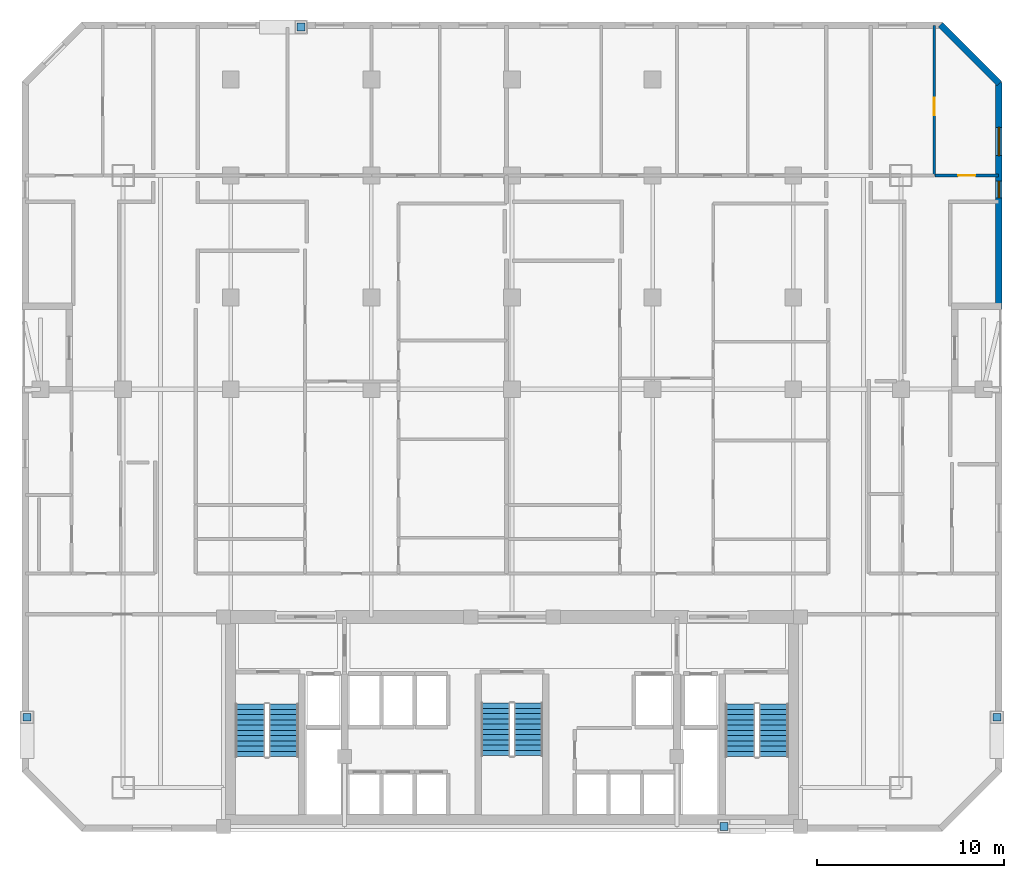
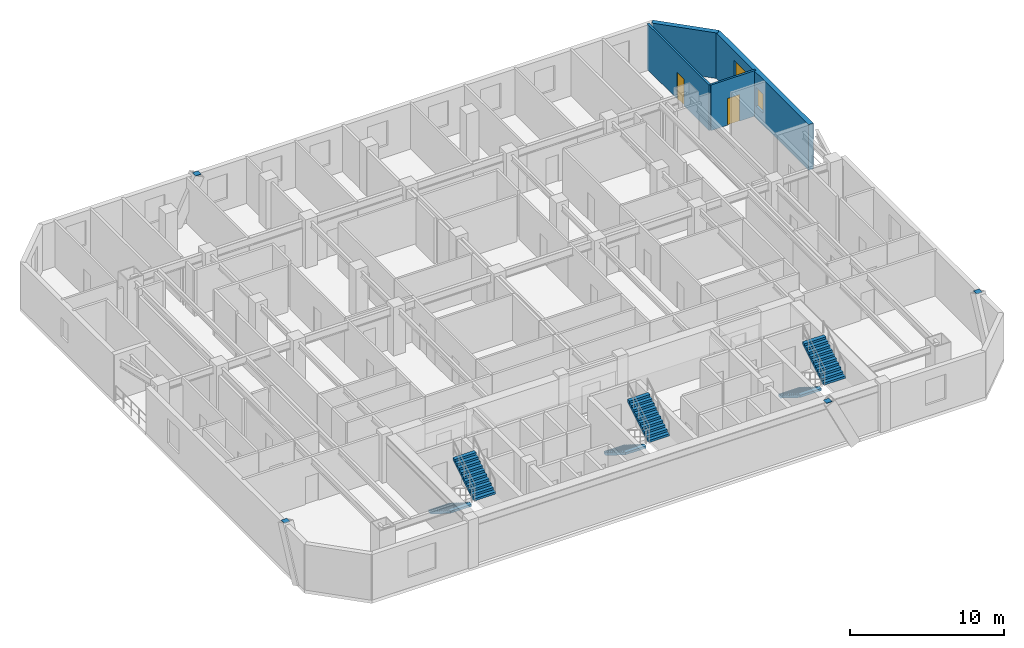
# One storey, part 8 of 10: 6 stair flights, 4 discrete accessories, 4 walls, 2 doors, 2 windows, 4 openings, 3 elements without a shape of their own.
"""IFC4 building model written with IfcOpenShell, lengths in metres."""

from ifc_helpers import new_model, si_unit, direction, frame, frame_2d, origin, origin_2d, place, context, subcontext, project, spatial, polyline, rectangle, outline, extrude, material, layer, layer_set, type_object, element, fill, aggregate, save


model = new_model("IFC4")

# Units and contexts
model_context = context("Model", 3, precision=1e-05, world=origin(), true_north=direction((0.0, 1.0)))
body_context = subcontext(model_context, "Body", "Model", "MODEL_VIEW")
ifc_project = project(units=[si_unit("LENGTHUNIT", "METRE"), si_unit("AREAUNIT", "SQUARE_METRE"), si_unit("VOLUMEUNIT", "CUBIC_METRE"), si_unit("PLANEANGLEUNIT", "RADIAN"), si_unit("MASSUNIT", "GRAM", prefix="KILO")], contexts=[model_context])

# Site, building, storey
site_placement = place(None, origin())
site = spatial("IfcSite", under=ifc_project, at=site_placement, CompositionType="ELEMENT")
building_placement = place(site_placement, origin())
building = spatial("IfcBuilding", under=site, at=building_placement, Name="Ventersveld Concourse Tower", CompositionType="ELEMENT")
storey_placement = place(building_placement, frame((0.0, 0.0, 96.449951171875)))
storey = spatial("IfcBuildingStorey", under=building, at=storey_placement, Name="L23", CompositionType="ELEMENT", Elevation=96.449951171875)

# Wall, opening, door
ifc_material_1 = material(Name="Autoclaved aerated masonry blockwork", Category="masonry")
ifc_layer_1 = layer(ifc_material_1, 0.14990234375)
ifc_layer_set_1 = layer_set([ifc_layer_1], Name="Autoclaved aerated masonry blockwork")
wall_type_1 = type_object("IfcWallType", Name="WL-INT-150", PredefinedType="PARTITIONING", material=ifc_layer_set_1)
wall_1_placement = place(storey_placement, frame((51.313232421875, 35.0, 0.0), z_axis=(0.0, 0.0, 1.0), x_axis=(1.0, 0.0, 0.0)))
wall_1 = element("IfcWall", 1, at=wall_1_placement, inside=storey, type_object=wall_type_1, Name="L23 Interior Partition SP-L23-23NE-LIV-SP-L23-23NE-BR2", PredefinedType="PARTITIONING", context=body_context, shape_type="SweptSolid", body=[
    extrude(rectangle(XDim=3.376708984375, YDim=0.14990234375, at=frame_2d((1.6884765625, 0.0))), origin(), (0.0, 0.0, 1.0), 3.60009765625),
])
opening_1_placement = place(wall_1_placement, frame((1.228515625, 0.0, 0.0)))
opening_1 = element("IfcOpeningElement", 2, at=opening_1_placement, cuts=wall_1, Name="Opening ID1", PredefinedType="OPENING", context=body_context, shape_type="SweptSolid", body=[
    extrude(rectangle(XDim=0.919921875, YDim=2.10009765625, at=frame_2d((0.4599609375, 1.050048828125))), frame((0.0, 0.0849609375, 0.0), z_axis=(0.0, -1.0, 0.0), x_axis=(1.0, 0.0, 0.0)), (0.0, 0.0, 1.0), 0.169921875),
])
ifc_material_2 = material(Name="Solid-core hardwood veneer timber", Category="wood")
door_type = type_object("IfcDoorType", Name="DR-ROOM-092", OperationType="NOTDEFINED", PredefinedType="DOOR", material=ifc_material_2)
door_1_placement = place(opening_1_placement, origin())
door_1 = element("IfcDoor", 3, at=door_1_placement, inside=storey, type_object=door_type, Name="L23 Interior Door SP-L23-23NE-LIV to SP-L23-23NE-BR2 (D-L23-1131)", OperationType="SINGLE_SWING_LEFT", OverallHeight=2.10009765625, OverallWidth=0.919921875, PredefinedType="DOOR", context=body_context, shape_type="SweptSolid", body=[
    extrude(rectangle(XDim=0.919921875, YDim=2.10009765625, at=frame_2d((0.4599609375, 1.050048828125))), frame((0.0, 0.02490234375, 0.0), z_axis=(0.0, -1.0, 0.0), x_axis=(1.0, 0.0, 0.0)), (0.0, 0.0, 1.0), 0.050048828125),
])
fill(opening_1, door_1)

wall_2_placement = place(storey_placement, frame((51.2783203125, 34.9951171875, 0.0), z_axis=(0.0, 0.0, 1.0), x_axis=(0.0, 1.0, 0.0)))
wall_2 = element("IfcWall", 4, at=wall_2_placement, inside=storey, type_object=wall_type_1, Name="L23 Interior Partition SP-L23-23NE-BR1-SP-L23-23NE-BR2", PredefinedType="PARTITIONING", context=body_context, shape_type="SweptSolid", body=[
    extrude(rectangle(XDim=7.994873046875, YDim=0.14990234375, at=frame_2d((3.99755859375, 0.0))), origin(), (0.0, 0.0, 1.0), 3.60009765625),
])
opening_2_placement = place(wall_2_placement, frame((3.22998046875, 0.0, 0.0)))
opening_2 = element("IfcOpeningElement", 5, at=opening_2_placement, cuts=wall_2, Name="Opening ID1", PredefinedType="OPENING", context=body_context, shape_type="SweptSolid", body=[
    extrude(rectangle(XDim=0.919921875, YDim=2.10009765625, at=frame_2d((0.4599609375, 1.050048828125))), frame((0.0, 0.0849609375, 0.0), z_axis=(0.0, -1.0, 0.0), x_axis=(1.0, 0.0, 0.0)), (0.0, 0.0, 1.0), 0.169921875),
])
door_2_placement = place(opening_2_placement, origin())
door_2 = element("IfcDoor", 6, at=door_2_placement, inside=storey, type_object=door_type, Name="L23 Interior Door Flat 23NE Master Bedroom (D-L23-1161)", OperationType="SINGLE_SWING_RIGHT", OverallHeight=2.10009765625, OverallWidth=0.919921875, PredefinedType="DOOR", context=body_context, shape_type="SweptSolid", body=[
    extrude(rectangle(XDim=0.919921875, YDim=2.10009765625, at=frame_2d((0.4599609375, 1.050048828125))), frame((0.0, 0.02490234375, 0.0), z_axis=(0.0, -1.0, 0.0), x_axis=(1.0, 0.0, 0.0)), (0.0, 0.0, 1.0), 0.050048828125),
])
fill(opening_2, door_2)

# Wall, openings, windows
ifc_material_3 = material(Name="Precast concrete C45/55", Category="concrete")
ifc_layer_2 = layer(ifc_material_3, 0.35009765625)
ifc_layer_set_2 = layer_set([ifc_layer_2], Name="Precast concrete C45/55")
wall_type_2 = type_object("IfcWallType", Name="WL-PREC-350", PredefinedType="SOLIDWALL", material=ifc_layer_set_2)
wall_3_placement = place(storey_placement, frame((54.72509765625, 27.889892578125, 0.0), z_axis=(0.0, 0.0, 1.0), x_axis=(0.0, 1.0, 0.0)))
wall_3 = element("IfcWall", 7, at=wall_3_placement, inside=storey, type_object=wall_type_2, Name="L23 Highveld Precast Facade Wall E07", PredefinedType="SOLIDWALL", context=body_context, shape_type="SweptSolid", body=[
    extrude(rectangle(XDim=12.070068359375, YDim=0.35009765625, at=frame_2d((6.03515625, 0.0))), origin(), (0.0, 0.0, 1.0), 3.60009765625),
])
opening_3_placement = place(wall_3_placement, frame((5.909912109375, 0.0, 0.949951171875)))
opening_3 = element("IfcOpeningElement", 8, at=opening_3_placement, cuts=wall_3, Name="Opening W4", PredefinedType="OPENING", context=body_context, shape_type="SweptSolid", body=[
    extrude(rectangle(XDim=0.89990234375, YDim=1.5, at=frame_2d((0.449951171875, 0.75))), frame((0.0, 0.18505859375, 0.0), z_axis=(0.0, -1.0, 0.0), x_axis=(1.0, 0.0, 0.0)), (0.0, 0.0, 1.0), 0.3701171875),
])
opening_4_placement = place(wall_3_placement, frame((8.172607421875, 0.0, 0.89990234375)))
opening_4 = element("IfcOpeningElement", 9, at=opening_4_placement, cuts=wall_3, Name="Opening W1", PredefinedType="OPENING", context=body_context, shape_type="SweptSolid", body=[
    extrude(rectangle(XDim=1.5, YDim=1.949951171875, at=frame_2d((0.75, 0.97509765625))), frame((0.0, 0.18505859375, 0.0), z_axis=(0.0, -1.0, 0.0), x_axis=(1.0, 0.0, 0.0)), (0.0, 0.0, 1.0), 0.3701171875),
])
ifc_material_4 = material(Name="Tempered acoustic Low-E IGU", Category="glass")
window_type_1 = type_object("IfcWindowType", Name="WIN-090x150", PartitioningType="SINGLE_PANEL", PredefinedType="WINDOW", material=ifc_material_4)
window_1_placement = place(opening_3_placement, origin())
window_1 = element("IfcWindow", 10, at=window_1_placement, inside=storey, type_object=window_type_1, Name="L23 Punched Low-E Window W-0261", OverallHeight=1.5, OverallWidth=0.89990234375, PartitioningType="SINGLE_PANEL", PredefinedType="WINDOW", context=body_context, shape_type="SweptSolid", body=[
    extrude(rectangle(XDim=0.89990234375, YDim=1.5, at=frame_2d((0.449951171875, 0.75))), frame((0.0, 0.030029296875, 0.0), z_axis=(0.0, -1.0, 0.0), x_axis=(1.0, 0.0, 0.0)), (0.0, 0.0, 1.0), 0.06005859375),
])
fill(opening_3, window_1)
window_type_2 = type_object("IfcWindowType", Name="WIN-150x210", PartitioningType="SINGLE_PANEL", PredefinedType="WINDOW", material=ifc_material_4)
window_2_placement = place(opening_4_placement, origin())
window_2 = element("IfcWindow", 11, at=window_2_placement, inside=storey, type_object=window_type_2, Name="L23 Punched Low-E Window W-0264", OverallHeight=1.949951171875, OverallWidth=1.5, PartitioningType="SINGLE_PANEL", PredefinedType="WINDOW", context=body_context, shape_type="SweptSolid", body=[
    extrude(rectangle(XDim=1.5, YDim=1.949951171875, at=frame_2d((0.75, 0.97509765625))), frame((0.0, 0.030029296875, 0.0), z_axis=(0.0, -1.0, 0.0), x_axis=(1.0, 0.0, 0.0)), (0.0, 0.0, 1.0), 0.06005859375),
])
fill(opening_4, window_2)

# Wall
wall_4_placement = place(storey_placement, frame((54.748046875, 39.904541015625, 0.0), z_axis=(0.0, 0.0, 1.0), x_axis=(-0.707106781187, 0.707106781187, 0.0)))
element("IfcWall", 12, at=wall_4_placement, inside=storey, type_object=wall_type_2, Name="L23 Highveld Precast Facade Wall E08", PredefinedType="SOLIDWALL", context=body_context, shape_type="SweptSolid", body=[
    extrude(rectangle(XDim=4.445556640625, YDim=0.35009765625, at=frame_2d((2.22265625, 0.0))), origin(), (0.0, 0.0, 1.0), 3.60009765625),
])

# Stair, stair flights
ifc_material_5 = material(Name="Concrete C50/60", Category="concrete")
stair_type_1 = type_object("IfcStairType", Name="ST-DOG-155", PredefinedType="HALF_TURN_STAIR", material=ifc_material_5)
stair_1_placement = place(storey_placement, origin())
stair_1 = element("IfcStair", 13, at=stair_1_placement, inside=storey, type_object=stair_type_1, Name="L23 Protected Central Core Escape Stair ST-03", PredefinedType="HALF_TURN_STAIR")
stair_flight_type_1 = type_object("IfcStairFlightType", Name="STF-RC-155", PredefinedType="STRAIGHT", material=ifc_material_5)
stair_flight_1_placement = place(storey_placement, frame((27.875, 6.85009765625, 0.0), z_axis=(0.0, 0.0, 1.0), x_axis=(0.0, -1.0, 0.0)))
stair_flight_1 = element("IfcStairFlight", 14, at=stair_flight_1_placement, type_object=stair_flight_type_1, Name="ST-03 flight 1", NumberOfRisers=11, NumberOfTreads=10, PredefinedType="STRAIGHT", RiserHeight=0.175, TreadLength=0.28, context=body_context, shape_type="SweptSolid", body=[
    extrude(outline(polyline([(0.0, 0.0), (0.0, 0.175048828125), (0.280029296875, 0.175048828125), (0.280029296875, 0.35009765625), (0.56005859375, 0.35009765625), (0.56005859375, 0.52490234375), (0.840087890625, 0.52490234375), (0.840087890625, 0.699951171875), (1.1201171875, 0.699951171875), (1.1201171875, 0.875), (1.39990234375, 0.875), (1.39990234375, 1.050048828125), (1.679931640625, 1.050048828125), (1.679931640625, 1.22509765625), (1.9599609375, 1.22509765625), (1.9599609375, 1.39990234375), (2.239990234375, 1.39990234375), (2.239990234375, 1.574951171875), (2.52001953125, 1.574951171875), (2.52001953125, 1.75), (2.800048828125, 1.75), (2.800048828125, 1.925048828125), (2.800048828125, 1.5732421875), (0.28271484375, 0.0), (0.0, 0.0)])), frame((0.0, 0.77490234375, 0.0), z_axis=(0.0, -1.0, 0.0), x_axis=(1.0, 0.0, 0.0)), (0.0, 0.0, 1.0), 1.550048828125),
])
stair_flight_2_placement = place(storey_placement, frame((29.625, 4.050048828125, 1.925048828125), z_axis=(0.0, 0.0, 1.0), x_axis=(0.0, 1.0, 0.0)))
stair_flight_2 = element("IfcStairFlight", 15, at=stair_flight_2_placement, type_object=stair_flight_type_1, Name="ST-03 flight 2", NumberOfRisers=11, NumberOfTreads=10, PredefinedType="STRAIGHT", RiserHeight=0.175, TreadLength=0.28, context=body_context, shape_type="SweptSolid", body=[
    extrude(outline(polyline([(0.0, 0.0), (0.0, 0.175048828125), (0.280029296875, 0.175048828125), (0.280029296875, 0.35009765625), (0.56005859375, 0.35009765625), (0.56005859375, 0.52490234375), (0.840087890625, 0.52490234375), (0.840087890625, 0.699951171875), (1.1201171875, 0.699951171875), (1.1201171875, 0.875), (1.39990234375, 0.875), (1.39990234375, 1.050048828125), (1.679931640625, 1.050048828125), (1.679931640625, 1.22509765625), (1.9599609375, 1.22509765625), (1.9599609375, 1.39990234375), (2.239990234375, 1.39990234375), (2.239990234375, 1.574951171875), (2.52001953125, 1.574951171875), (2.52001953125, 1.75), (2.800048828125, 1.75), (2.800048828125, 1.925048828125), (2.800048828125, 1.5732421875), (0.28271484375, 0.0), (0.0, 0.0)])), frame((0.0, 0.77490234375, 0.0), z_axis=(0.0, -1.0, 0.0), x_axis=(1.0, 0.0, 0.0)), (0.0, 0.0, 1.0), 1.550048828125),
])
aggregate(stair_1, [stair_flight_1, stair_flight_2])

stair_type_2 = type_object("IfcStairType", Name="ST-DOG-160", PredefinedType="HALF_TURN_STAIR", material=ifc_material_5)
stair_2_placement = place(storey_placement, origin())
stair_2 = element("IfcStair", 16, at=stair_2_placement, inside=storey, type_object=stair_type_2, Name="L23 Protected Tower Escape Stair ST-01", PredefinedType="HALF_TURN_STAIR")
stair_flight_type_2 = type_object("IfcStairFlightType", Name="STF-RC-160", PredefinedType="STRAIGHT", material=ifc_material_5)
stair_flight_3_placement = place(storey_placement, frame((14.780029296875, 6.800048828125, 0.0), z_axis=(0.0, 0.0, 1.0), x_axis=(0.0, -1.0, 0.0)))
stair_flight_3 = element("IfcStairFlight", 17, at=stair_flight_3_placement, type_object=stair_flight_type_2, Name="ST-01 flight 1", NumberOfRisers=11, NumberOfTreads=10, PredefinedType="STRAIGHT", RiserHeight=0.175, TreadLength=0.28, context=body_context, shape_type="SweptSolid", body=[
    extrude(outline(polyline([(0.0, 0.0), (0.0, 0.175048828125), (0.280029296875, 0.175048828125), (0.280029296875, 0.35009765625), (0.56005859375, 0.35009765625), (0.56005859375, 0.52490234375), (0.840087890625, 0.52490234375), (0.840087890625, 0.699951171875), (1.1201171875, 0.699951171875), (1.1201171875, 0.875), (1.39990234375, 0.875), (1.39990234375, 1.050048828125), (1.679931640625, 1.050048828125), (1.679931640625, 1.22509765625), (1.9599609375, 1.22509765625), (1.9599609375, 1.39990234375), (2.239990234375, 1.39990234375), (2.239990234375, 1.574951171875), (2.52001953125, 1.574951171875), (2.52001953125, 1.75), (2.800048828125, 1.75), (2.800048828125, 1.925048828125), (2.800048828125, 1.5732421875), (0.28271484375, 0.0), (0.0, 0.0)])), frame((0.0, 0.800048828125, 0.0), z_axis=(0.0, -1.0, 0.0), x_axis=(1.0, 0.0, 0.0)), (0.0, 0.0, 1.0), 1.60009765625),
])
stair_flight_4_placement = place(storey_placement, frame((16.580078125, 4.0, 1.925048828125), z_axis=(0.0, 0.0, 1.0), x_axis=(0.0, 1.0, 0.0)))
stair_flight_4 = element("IfcStairFlight", 18, at=stair_flight_4_placement, type_object=stair_flight_type_2, Name="ST-01 flight 2", NumberOfRisers=11, NumberOfTreads=10, PredefinedType="STRAIGHT", RiserHeight=0.175, TreadLength=0.28, context=body_context, shape_type="SweptSolid", body=[
    extrude(outline(polyline([(0.0, 0.0), (0.0, 0.175048828125), (0.280029296875, 0.175048828125), (0.280029296875, 0.35009765625), (0.56005859375, 0.35009765625), (0.56005859375, 0.52490234375), (0.840087890625, 0.52490234375), (0.840087890625, 0.699951171875), (1.1201171875, 0.699951171875), (1.1201171875, 0.875), (1.39990234375, 0.875), (1.39990234375, 1.050048828125), (1.679931640625, 1.050048828125), (1.679931640625, 1.22509765625), (1.9599609375, 1.22509765625), (1.9599609375, 1.39990234375), (2.239990234375, 1.39990234375), (2.239990234375, 1.574951171875), (2.52001953125, 1.574951171875), (2.52001953125, 1.75), (2.800048828125, 1.75), (2.800048828125, 1.925048828125), (2.800048828125, 1.5732421875), (0.28271484375, 0.0), (0.0, 0.0)])), frame((0.0, 0.800048828125, 0.0), z_axis=(0.0, -1.0, 0.0), x_axis=(1.0, 0.0, 0.0)), (0.0, 0.0, 1.0), 1.60009765625),
])
aggregate(stair_2, [stair_flight_3, stair_flight_4])

stair_3_placement = place(storey_placement, origin())
stair_3 = element("IfcStair", 19, at=stair_3_placement, inside=storey, type_object=stair_type_2, Name="L23 Protected Tower Escape Stair ST-02", PredefinedType="HALF_TURN_STAIR")
stair_flight_5_placement = place(storey_placement, frame((40.919921875, 6.800048828125, 0.0), z_axis=(0.0, 0.0, 1.0), x_axis=(0.0, -1.0, 0.0)))
stair_flight_5 = element("IfcStairFlight", 20, at=stair_flight_5_placement, type_object=stair_flight_type_2, Name="ST-02 flight 1", NumberOfRisers=11, NumberOfTreads=10, PredefinedType="STRAIGHT", RiserHeight=0.175, TreadLength=0.28, context=body_context, shape_type="SweptSolid", body=[
    extrude(outline(polyline([(0.0, 0.0), (0.0, 0.175048828125), (0.280029296875, 0.175048828125), (0.280029296875, 0.35009765625), (0.56005859375, 0.35009765625), (0.56005859375, 0.52490234375), (0.840087890625, 0.52490234375), (0.840087890625, 0.699951171875), (1.1201171875, 0.699951171875), (1.1201171875, 0.875), (1.39990234375, 0.875), (1.39990234375, 1.050048828125), (1.679931640625, 1.050048828125), (1.679931640625, 1.22509765625), (1.9599609375, 1.22509765625), (1.9599609375, 1.39990234375), (2.239990234375, 1.39990234375), (2.239990234375, 1.574951171875), (2.52001953125, 1.574951171875), (2.52001953125, 1.75), (2.800048828125, 1.75), (2.800048828125, 1.925048828125), (2.800048828125, 1.5732421875), (0.28271484375, 0.0), (0.0, 0.0)])), frame((0.0, 0.800048828125, 0.0), z_axis=(0.0, -1.0, 0.0), x_axis=(1.0, 0.0, 0.0)), (0.0, 0.0, 1.0), 1.60009765625),
])
stair_flight_6_placement = place(storey_placement, frame((42.719970703125, 4.0, 1.925048828125), z_axis=(0.0, 0.0, 1.0), x_axis=(0.0, 1.0, 0.0)))
stair_flight_6 = element("IfcStairFlight", 21, at=stair_flight_6_placement, type_object=stair_flight_type_2, Name="ST-02 flight 2", NumberOfRisers=11, NumberOfTreads=10, PredefinedType="STRAIGHT", RiserHeight=0.175, TreadLength=0.28, context=body_context, shape_type="SweptSolid", body=[
    extrude(outline(polyline([(0.0, 0.0), (0.0, 0.175048828125), (0.280029296875, 0.175048828125), (0.280029296875, 0.35009765625), (0.56005859375, 0.35009765625), (0.56005859375, 0.52490234375), (0.840087890625, 0.52490234375), (0.840087890625, 0.699951171875), (1.1201171875, 0.699951171875), (1.1201171875, 0.875), (1.39990234375, 0.875), (1.39990234375, 1.050048828125), (1.679931640625, 1.050048828125), (1.679931640625, 1.22509765625), (1.9599609375, 1.22509765625), (1.9599609375, 1.39990234375), (2.239990234375, 1.39990234375), (2.239990234375, 1.574951171875), (2.52001953125, 1.574951171875), (2.52001953125, 1.75), (2.800048828125, 1.75), (2.800048828125, 1.925048828125), (2.800048828125, 1.5732421875), (0.28271484375, 0.0), (0.0, 0.0)])), frame((0.0, 0.800048828125, 0.0), z_axis=(0.0, -1.0, 0.0), x_axis=(1.0, 0.0, 0.0)), (0.0, 0.0, 1.0), 1.60009765625),
])
aggregate(stair_3, [stair_flight_5, stair_flight_6])

# Discrete accessories
ifc_material_6 = material(Name="Structural steel S355J2", Category="steel")
discrete_accessory_type = type_object("IfcDiscreteAccessoryType", Name="CONN-BRACE-ECP1", PredefinedType="BRACKET", material=ifc_material_6)
for number, where, z_axis, x_axis, name in (
    (22, (17.5, 42.919921875, 3.580078125), (0.0, 0.0, 1.0), (1.0, 0.0, 0.0), "L23 Steel Brace End Connection Plate ECP1-0267"),
    (23, (40.050048828125, 0.280029296875, 3.580078125), (0.0, 0.0, 1.0), (1.0, 0.0, 0.0), "L23 Steel Brace End Connection Plate ECP1-0271"),
    (24, (2.8798828125, 6.10009765625, 3.580078125), (0.0, 0.0, 1.0), (1.0, 0.0, 0.0), "L23 Steel Brace End Connection Plate ECP1-0276"),
    (25, (54.6201171875, 6.10009765625, 3.580078125), (0.0, 0.0, 1.0), (1.0, 0.0, 0.0), "L23 Steel Brace End Connection Plate ECP1-0281"),
):
    element("IfcDiscreteAccessory", number, at=place(storey_placement, frame(where, z_axis=z_axis, x_axis=x_axis)), inside=storey, type_object=discrete_accessory_type, Name=name, PredefinedType="BRACKET", context=body_context, shape_type="SweptSolid", body=[
        extrude(rectangle(XDim=0.419921875, YDim=0.419921875, at=origin_2d()), origin(), (0.0, 0.0, 1.0), 0.0400390625),
    ])

save(model, "model.ifc")
